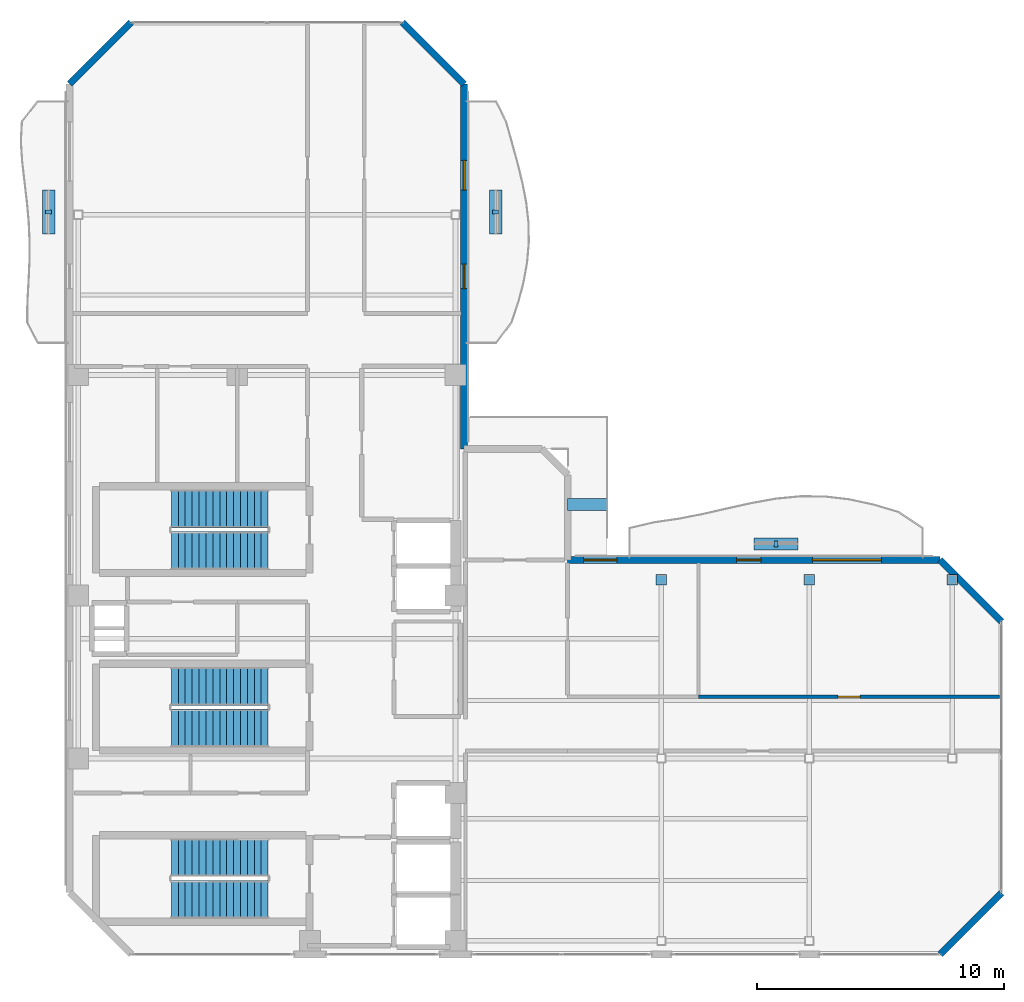
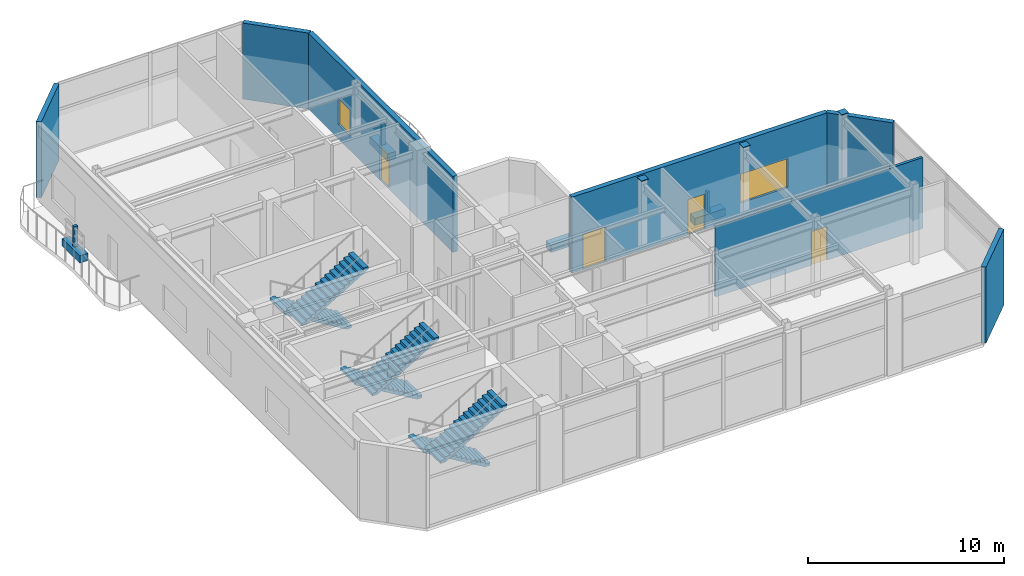
# One storey, part 12 of 16: 10 discrete accessories, 7 walls, 6 stair flights, 4 doors, 2 windows, 6 openings, 3 elements without a shape of their own.
"""IFC4 building model written with IfcOpenShell, lengths in metres."""

from ifc_helpers import new_model, si_unit, direction, frame, frame_2d, origin, origin_2d, place, context, subcontext, project, spatial, polyline, rectangle, outline, extrude, material, layer, layer_set, type_object, element, fill, aggregate, save


model = new_model("IFC4")

# Units and contexts
model_context = context("Model", 3, precision=1e-05, world=origin(), true_north=direction((0.0, 1.0)))
body_context = subcontext(model_context, "Body", "Model", "MODEL_VIEW")
ifc_project = project(units=[si_unit("LENGTHUNIT", "METRE"), si_unit("AREAUNIT", "SQUARE_METRE"), si_unit("VOLUMEUNIT", "CUBIC_METRE"), si_unit("PLANEANGLEUNIT", "RADIAN"), si_unit("MASSUNIT", "GRAM", prefix="KILO")], contexts=[model_context])

# Site, building, storey
site_placement = place(None, origin())
site = spatial("IfcSite", under=ifc_project, at=site_placement, CompositionType="ELEMENT")
building_placement = place(site_placement, origin())
building = spatial("IfcBuilding", under=site, at=building_placement, Name="Mawjaban Terraces University", CompositionType="ELEMENT")
storey_placement = place(building_placement, frame((0.0, 0.0, 311.699951171875)))
storey = spatial("IfcBuildingStorey", under=building, at=storey_placement, Name="L76", CompositionType="ELEMENT", Elevation=311.699951171875)

# Wall, opening, door
ifc_material_1 = material(Name="Fire-rated gypsum board on steel stud", Category="steel")
ifc_layer_1 = layer(ifc_material_1, 0.159912109375)
ifc_layer_set_1 = layer_set([ifc_layer_1], Name="Fire-rated gypsum board on steel stud")
wall_type_1 = type_object("IfcWallType", Name="CorridorPartition_160", PredefinedType="PARTITIONING", material=ifc_layer_set_1)
wall_1_placement = place(storey_placement, frame((59.719970703125, 10.449951171875, 0.0), z_axis=(0.0, 0.0, 1.0), x_axis=(-1.0, 0.0, 0.0)))
wall_1 = element("IfcWall", 1, at=wall_1_placement, inside=storey, type_object=wall_type_1, Name="L76 Observation Gallery Corridor Partition 21", PredefinedType="PARTITIONING", context=body_context, shape_type="SweptSolid", body=[
    extrude(rectangle(XDim=12.219970703125, YDim=0.159912109375, at=frame_2d((6.10986328125, 0.0))), origin(), (0.0, 0.0, 1.0), 4.422119140625),
])
opening_1_placement = place(wall_1_placement, frame((5.659912109375, 0.0, 0.0)))
opening_1 = element("IfcOpeningElement", 2, at=opening_1_placement, cuts=wall_1, Name="Opening ID-090", PredefinedType="OPENING", context=body_context, shape_type="SweptSolid", body=[
    extrude(rectangle(XDim=0.89990234375, YDim=2.10009765625, at=frame_2d((0.449951171875, 1.050048828125))), frame((0.0, 0.08984375, 0.0), z_axis=(0.0, -1.0, 0.0), x_axis=(1.0, 0.0, 0.0)), (0.0, 0.0, 1.0), 0.179931640625),
])
ifc_material_2 = material(Name="Powder-coated steel frame and solid acoustic timber leaf", Category="steel")
door_type_1 = type_object("IfcDoorType", Name="OfficeDoor_900x2100", OperationType="NOTDEFINED", PredefinedType="DOOR", material=ifc_material_2)
door_1_placement = place(opening_1_placement, origin())
door_1 = element("IfcDoor", 3, at=door_1_placement, inside=storey, type_object=door_type_1, Name="L76 Summit Visitor Sky Lounge Door", OperationType="SINGLE_SWING_RIGHT", OverallHeight=2.10009765625, OverallWidth=0.89990234375, PredefinedType="DOOR", context=body_context, shape_type="SweptSolid", body=[
    extrude(rectangle(XDim=0.89990234375, YDim=2.10009765625, at=frame_2d((0.449951171875, 1.050048828125))), frame((0.0, 0.02490234375, 0.0), z_axis=(0.0, -1.0, 0.0), x_axis=(1.0, 0.0, 0.0)), (0.0, 0.0, 1.0), 0.050048828125),
])
fill(opening_1, door_1)

# Walls
ifc_material_3 = material(Name="Insulated terracotta rainscreen on concrete backup C40/50", Category="masonry")
ifc_layer_2 = layer(ifc_material_3, 0.27490234375)
ifc_layer_set_2 = layer_set([ifc_layer_2], Name="Insulated terracotta rainscreen on concrete backup C40/50")
wall_type_2 = type_object("IfcWallType", Name="ExtTerracottaWall_275", PredefinedType="SOLIDWALL", material=ifc_layer_set_2)
for number, where, z_axis, x_axis, name in (
    (4, (57.300048828125, 0.0, 0.0), (0.0, 0.0, 1.0), (0.707106781187, 0.707106781187, 0.0), "L76 Exterior Terracotta Wall 2"),
    (5, (59.800048828125, 13.5, 0.0), (0.0, 0.0, 1.0), (-0.707106781187, 0.707106781187, 0.0), "L76 Exterior Terracotta Wall 4"),
):
    element("IfcWall", number, at=place(storey_placement, frame(where, z_axis=z_axis, x_axis=x_axis)), inside=storey, type_object=wall_type_2, Name=name, PredefinedType="SOLIDWALL", context=body_context, shape_type="SweptSolid", body=[
        extrude(rectangle(XDim=3.53564453125, YDim=0.27490234375, at=frame_2d((1.767822265625, 0.0))), origin(), (0.0, 0.0, 1.0), 4.739990234375),
    ])

# Wall, openings, doors, window
wall_2_placement = place(storey_placement, frame((57.300048828125, 16.0, 0.0), z_axis=(0.0, 0.0, 1.0), x_axis=(-1.0, 0.0, 0.0)))
wall_2 = element("IfcWall", 6, at=wall_2_placement, inside=storey, type_object=wall_type_2, Name="L76 Exterior Terracotta Wall 5", PredefinedType="SOLIDWALL", context=body_context, shape_type="SweptSolid", body=[
    extrude(rectangle(XDim=15.10009765625, YDim=0.27490234375, at=frame_2d((7.550048828125, 0.0))), origin(), (0.0, 0.0, 1.0), 4.739990234375),
])
opening_2_placement = place(wall_2_placement, frame((7.25, 0.0, 0.0)))
opening_2 = element("IfcOpeningElement", 7, at=opening_2_placement, cuts=wall_2, Name="Opening BD-100", PredefinedType="OPENING", context=body_context, shape_type="SweptSolid", body=[
    extrude(rectangle(XDim=1.0, YDim=2.199951171875, at=frame_2d((0.5, 1.10009765625))), frame((0.0, 0.1474609375, 0.0), z_axis=(0.0, -1.0, 0.0), x_axis=(1.0, 0.0, 0.0)), (0.0, 0.0, 1.0), 0.294921875),
])
opening_3_placement = place(wall_2_placement, frame((13.10009765625, 0.0, 0.0)))
opening_3 = element("IfcOpeningElement", 8, at=opening_3_placement, cuts=wall_2, Name="Opening TD-135", PredefinedType="OPENING", context=body_context, shape_type="SweptSolid", body=[
    extrude(rectangle(XDim=1.35009765625, YDim=2.199951171875, at=frame_2d((0.675048828125, 1.10009765625))), frame((0.0, 0.1474609375, 0.0), z_axis=(0.0, -1.0, 0.0), x_axis=(1.0, 0.0, 0.0)), (0.0, 0.0, 1.0), 0.294921875),
])
opening_4_placement = place(wall_2_placement, frame((2.375, 0.0, 0.89990234375)))
opening_4 = element("IfcOpeningElement", 9, at=opening_4_placement, cuts=wall_2, Name="Opening W-09", PredefinedType="OPENING", context=body_context, shape_type="SweptSolid", body=[
    extrude(rectangle(XDim=2.800048828125, YDim=1.800048828125, at=frame_2d((1.39990234375, 0.89990234375))), frame((0.0, 0.1474609375, 0.0), z_axis=(0.0, -1.0, 0.0), x_axis=(1.0, 0.0, 0.0)), (0.0, 0.0, 1.0), 0.294921875),
])
ifc_material_4 = material(Name="Thermally broken anodised aluminium and laminated safety glass", Category="aluminium")
door_type_2 = type_object("IfcDoorType", Name="BalconyGlazedDoor_1000x2200", OperationType="NOTDEFINED", PredefinedType="DOOR", material=ifc_material_4)
door_2_placement = place(opening_2_placement, origin())
door_2 = element("IfcDoor", 10, at=door_2_placement, inside=storey, type_object=door_type_2, Name="L76 Balcony Access Door inner_north", OperationType="SINGLE_SWING_LEFT", OverallHeight=2.199951171875, OverallWidth=1.0, PredefinedType="DOOR", context=body_context, shape_type="SweptSolid", body=[
    extrude(rectangle(XDim=1.0, YDim=2.199951171875, at=frame_2d((0.5, 1.10009765625))), frame((0.0, 0.02490234375, 0.0), z_axis=(0.0, -1.0, 0.0), x_axis=(1.0, 0.0, 0.0)), (0.0, 0.0, 1.0), 0.050048828125),
])
fill(opening_2, door_2)
door_type_3 = type_object("IfcDoorType", Name="TerraceGlazedDoor_1350x2200", OperationType="NOTDEFINED", PredefinedType="DOOR", material=ifc_material_4)
door_3_placement = place(opening_3_placement, origin())
door_3 = element("IfcDoor", 11, at=door_3_placement, inside=storey, type_object=door_type_3, Name="L76 Terrace Access Door TER-L76-LOOKOUT", OperationType="SINGLE_SWING_RIGHT", OverallHeight=2.199951171875, OverallWidth=1.35009765625, PredefinedType="DOOR", context=body_context, shape_type="SweptSolid", body=[
    extrude(rectangle(XDim=1.35009765625, YDim=2.199951171875, at=frame_2d((0.675048828125, 1.10009765625))), frame((0.0, 0.02490234375, 0.0), z_axis=(0.0, -1.0, 0.0), x_axis=(1.0, 0.0, 0.0)), (0.0, 0.0, 1.0), 0.050048828125),
])
fill(opening_3, door_3)
ifc_material_5 = material(Name="Low-E solar-control double glazing in thermally broken aluminium frame", Category="aluminium")
window_type_1 = type_object("IfcWindowType", Name="Win_2800x1800", PartitioningType="SINGLE_PANEL", PredefinedType="WINDOW", material=ifc_material_5)
window_1_placement = place(opening_4_placement, origin())
window_1 = element("IfcWindow", 12, at=window_1_placement, inside=storey, type_object=window_type_1, Name="L76 Facade Window 5.1", OverallHeight=1.800048828125, OverallWidth=2.800048828125, PartitioningType="SINGLE_PANEL", PredefinedType="WINDOW", context=body_context, shape_type="SweptSolid", body=[
    extrude(rectangle(XDim=2.800048828125, YDim=1.800048828125, at=frame_2d((1.39990234375, 0.89990234375))), frame((0.0, 0.030029296875, 0.0), z_axis=(0.0, -1.0, 0.0), x_axis=(1.0, 0.0, 0.0)), (0.0, 0.0, 1.0), 0.06005859375),
])
fill(opening_4, window_1)

# Wall, openings, door, window
wall_3_placement = place(storey_placement, frame((38.0, 20.5, 0.0), z_axis=(0.0, 0.0, 1.0), x_axis=(0.0, 1.0, 0.0)))
wall_3 = element("IfcWall", 13, at=wall_3_placement, inside=storey, type_object=wall_type_2, Name="L76 Exterior Terracotta Wall 9", PredefinedType="SOLIDWALL", context=body_context, shape_type="SweptSolid", body=[
    extrude(rectangle(XDim=14.800048828125, YDim=0.27490234375, at=frame_2d((7.39990234375, 0.0))), origin(), (0.0, 0.0, 1.0), 4.739990234375),
])
opening_5_placement = place(wall_3_placement, frame((6.5, 0.0, 0.0)))
opening_5 = element("IfcOpeningElement", 14, at=opening_5_placement, cuts=wall_3, Name="Opening BD-100", PredefinedType="OPENING", context=body_context, shape_type="SweptSolid", body=[
    extrude(rectangle(XDim=1.0, YDim=2.199951171875, at=frame_2d((0.5, 1.10009765625))), frame((0.0, 0.1474609375, 0.0), z_axis=(0.0, -1.0, 0.0), x_axis=(1.0, 0.0, 0.0)), (0.0, 0.0, 1.0), 0.294921875),
])
opening_6_placement = place(wall_3_placement, frame((10.5, 0.0, 0.89990234375)))
opening_6 = element("IfcOpeningElement", 15, at=opening_6_placement, cuts=wall_3, Name="Opening W-01", PredefinedType="OPENING", context=body_context, shape_type="SweptSolid", body=[
    extrude(rectangle(XDim=1.199951171875, YDim=1.60009765625, at=frame_2d((0.60009765625, 0.800048828125))), frame((0.0, 0.1474609375, 0.0), z_axis=(0.0, -1.0, 0.0), x_axis=(1.0, 0.0, 0.0)), (0.0, 0.0, 1.0), 0.294921875),
])
door_4_placement = place(opening_5_placement, origin())
door_4 = element("IfcDoor", 16, at=door_4_placement, inside=storey, type_object=door_type_2, Name="L76 Balcony Access Door inner_east", OperationType="SINGLE_SWING_LEFT", OverallHeight=2.199951171875, OverallWidth=1.0, PredefinedType="DOOR", context=body_context, shape_type="SweptSolid", body=[
    extrude(rectangle(XDim=1.0, YDim=2.199951171875, at=frame_2d((0.5, 1.10009765625))), frame((0.0, 0.02490234375, 0.0), z_axis=(0.0, -1.0, 0.0), x_axis=(1.0, 0.0, 0.0)), (0.0, 0.0, 1.0), 0.050048828125),
])
fill(opening_5, door_4)
window_type_2 = type_object("IfcWindowType", Name="Win_1200x1600", PartitioningType="SINGLE_PANEL", PredefinedType="WINDOW", material=ifc_material_5)
window_2_placement = place(opening_6_placement, origin())
window_2 = element("IfcWindow", 17, at=window_2_placement, inside=storey, type_object=window_type_2, Name="L76 Facade Window 9.2", OverallHeight=1.60009765625, OverallWidth=1.199951171875, PartitioningType="SINGLE_PANEL", PredefinedType="WINDOW", context=body_context, shape_type="SweptSolid", body=[
    extrude(rectangle(XDim=1.199951171875, YDim=1.60009765625, at=frame_2d((0.60009765625, 0.800048828125))), frame((0.0, 0.030029296875, 0.0), z_axis=(0.0, -1.0, 0.0), x_axis=(1.0, 0.0, 0.0)), (0.0, 0.0, 1.0), 0.06005859375),
])
fill(opening_6, window_2)

# Walls
for number, where, z_axis, x_axis, name in (
    (18, (38.0, 35.300048828125, 0.0), (0.0, 0.0, 1.0), (-0.707106781187, 0.707106781187, 0.0), "L76 Exterior Terracotta Wall 10"),
    (19, (24.5, 37.800048828125, 0.0), (0.0, 0.0, 1.0), (-0.707106781187, -0.707106781187, 0.0), "L76 Exterior Terracotta Wall 12"),
):
    element("IfcWall", number, at=place(storey_placement, frame(where, z_axis=z_axis, x_axis=x_axis)), inside=storey, type_object=wall_type_2, Name=name, PredefinedType="SOLIDWALL", context=body_context, shape_type="SweptSolid", body=[
        extrude(rectangle(XDim=3.53564453125, YDim=0.27490234375, at=frame_2d((1.767822265625, 0.0))), origin(), (0.0, 0.0, 1.0), 4.739990234375),
    ])

# Stair, stair flights
ifc_material_6 = material(Name="Concrete C40/50", Category="concrete")
stair_type = type_object("IfcStairType", Name="Stair_Core1550_H50", PredefinedType="HALF_TURN_STAIR", material=ifc_material_6)
stair_1_placement = place(storey_placement, origin())
stair_1 = element("IfcStair", 20, at=stair_1_placement, inside=storey, type_object=stair_type, Name="L76 Core Exit Stair 1", PredefinedType="HALF_TURN_STAIR")
stair_flight_type = type_object("IfcStairFlightType", Name="Flight_Core1550_H50", PredefinedType="STRAIGHT", material=ifc_material_6)
stair_flight_1_placement = place(storey_placement, frame((30.050048828125, 3.925048828125, 0.0), z_axis=(0.0, 0.0, 1.0), x_axis=(-1.0, 0.0, 0.0)))
stair_flight_1 = element("IfcStairFlight", 21, at=stair_flight_1_placement, type_object=stair_flight_type, Name="ST-1 flight 1", NumberOfRisers=15, NumberOfTreads=14, PredefinedType="STRAIGHT", RiserHeight=0.166666667, TreadLength=0.28, context=body_context, shape_type="SweptSolid", body=[
    extrude(outline(polyline([(0.0, 0.0), (0.0, 0.166748046875), (0.280029296875, 0.166748046875), (0.280029296875, 0.333251953125), (0.56005859375, 0.333251953125), (0.56005859375, 0.5), (0.840087890625, 0.5), (0.840087890625, 0.666748046875), (1.1201171875, 0.666748046875), (1.1201171875, 0.833251953125), (1.39990234375, 0.833251953125), (1.39990234375, 1.0), (1.679931640625, 1.0), (1.679931640625, 1.166748046875), (1.9599609375, 1.166748046875), (1.9599609375, 1.333251953125), (2.239990234375, 1.333251953125), (2.239990234375, 1.5), (2.52001953125, 1.5), (2.52001953125, 1.666748046875), (2.800048828125, 1.666748046875), (2.800048828125, 1.833251953125), (3.080078125, 1.833251953125), (3.080078125, 2.0), (3.360107421875, 2.0), (3.360107421875, 2.166748046875), (3.639892578125, 2.166748046875), (3.639892578125, 2.333251953125), (3.919921875, 2.333251953125), (3.919921875, 2.5), (3.919921875, 2.158935546875), (0.29296875, 0.0), (0.0, 0.0)])), frame((0.0, 0.77490234375, 0.0), z_axis=(0.0, -1.0, 0.0), x_axis=(1.0, 0.0, 0.0)), (0.0, 0.0, 1.0), 1.550048828125),
])
stair_flight_2_placement = place(storey_placement, frame((26.1298828125, 2.22509765625, 2.5), z_axis=(0.0, 0.0, 1.0), x_axis=(1.0, 0.0, 0.0)))
stair_flight_2 = element("IfcStairFlight", 22, at=stair_flight_2_placement, type_object=stair_flight_type, Name="ST-1 flight 2", NumberOfRisers=15, NumberOfTreads=14, PredefinedType="STRAIGHT", RiserHeight=0.166666667, TreadLength=0.28, context=body_context, shape_type="SweptSolid", body=[
    extrude(outline(polyline([(0.0, 0.0), (0.0, 0.166748046875), (0.280029296875, 0.166748046875), (0.280029296875, 0.333251953125), (0.56005859375, 0.333251953125), (0.56005859375, 0.5), (0.840087890625, 0.5), (0.840087890625, 0.666748046875), (1.1201171875, 0.666748046875), (1.1201171875, 0.833251953125), (1.39990234375, 0.833251953125), (1.39990234375, 1.0), (1.679931640625, 1.0), (1.679931640625, 1.166748046875), (1.9599609375, 1.166748046875), (1.9599609375, 1.333251953125), (2.239990234375, 1.333251953125), (2.239990234375, 1.5), (2.52001953125, 1.5), (2.52001953125, 1.666748046875), (2.800048828125, 1.666748046875), (2.800048828125, 1.833251953125), (3.080078125, 1.833251953125), (3.080078125, 2.0), (3.360107421875, 2.0), (3.360107421875, 2.166748046875), (3.639892578125, 2.166748046875), (3.639892578125, 2.333251953125), (3.919921875, 2.333251953125), (3.919921875, 2.5), (3.919921875, 2.158935546875), (0.29296875, 0.0), (0.0, 0.0)])), frame((0.0, 0.77490234375, 0.0), z_axis=(0.0, -1.0, 0.0), x_axis=(1.0, 0.0, 0.0)), (0.0, 0.0, 1.0), 1.550048828125),
])
aggregate(stair_1, [stair_flight_1, stair_flight_2])

stair_2_placement = place(storey_placement, origin())
stair_2 = element("IfcStair", 23, at=stair_2_placement, inside=storey, type_object=stair_type, Name="L76 Core Exit Stair 2", PredefinedType="HALF_TURN_STAIR")
stair_flight_3_placement = place(storey_placement, frame((30.050048828125, 18.074951171875, 0.0), z_axis=(0.0, 0.0, 1.0), x_axis=(-1.0, 0.0, 0.0)))
stair_flight_3 = element("IfcStairFlight", 24, at=stair_flight_3_placement, type_object=stair_flight_type, Name="ST-2 flight 1", NumberOfRisers=15, NumberOfTreads=14, PredefinedType="STRAIGHT", RiserHeight=0.166666667, TreadLength=0.28, context=body_context, shape_type="SweptSolid", body=[
    extrude(outline(polyline([(0.0, 0.0), (0.0, 0.166748046875), (0.280029296875, 0.166748046875), (0.280029296875, 0.333251953125), (0.56005859375, 0.333251953125), (0.56005859375, 0.5), (0.840087890625, 0.5), (0.840087890625, 0.666748046875), (1.1201171875, 0.666748046875), (1.1201171875, 0.833251953125), (1.39990234375, 0.833251953125), (1.39990234375, 1.0), (1.679931640625, 1.0), (1.679931640625, 1.166748046875), (1.9599609375, 1.166748046875), (1.9599609375, 1.333251953125), (2.239990234375, 1.333251953125), (2.239990234375, 1.5), (2.52001953125, 1.5), (2.52001953125, 1.666748046875), (2.800048828125, 1.666748046875), (2.800048828125, 1.833251953125), (3.080078125, 1.833251953125), (3.080078125, 2.0), (3.360107421875, 2.0), (3.360107421875, 2.166748046875), (3.639892578125, 2.166748046875), (3.639892578125, 2.333251953125), (3.919921875, 2.333251953125), (3.919921875, 2.5), (3.919921875, 2.158935546875), (0.29296875, 0.0), (0.0, 0.0)])), frame((0.0, 0.77490234375, 0.0), z_axis=(0.0, -1.0, 0.0), x_axis=(1.0, 0.0, 0.0)), (0.0, 0.0, 1.0), 1.550048828125),
])
stair_flight_4_placement = place(storey_placement, frame((26.1298828125, 16.375, 2.5), z_axis=(0.0, 0.0, 1.0), x_axis=(1.0, 0.0, 0.0)))
stair_flight_4 = element("IfcStairFlight", 25, at=stair_flight_4_placement, type_object=stair_flight_type, Name="ST-2 flight 2", NumberOfRisers=15, NumberOfTreads=14, PredefinedType="STRAIGHT", RiserHeight=0.166666667, TreadLength=0.28, context=body_context, shape_type="SweptSolid", body=[
    extrude(outline(polyline([(0.0, 0.0), (0.0, 0.166748046875), (0.280029296875, 0.166748046875), (0.280029296875, 0.333251953125), (0.56005859375, 0.333251953125), (0.56005859375, 0.5), (0.840087890625, 0.5), (0.840087890625, 0.666748046875), (1.1201171875, 0.666748046875), (1.1201171875, 0.833251953125), (1.39990234375, 0.833251953125), (1.39990234375, 1.0), (1.679931640625, 1.0), (1.679931640625, 1.166748046875), (1.9599609375, 1.166748046875), (1.9599609375, 1.333251953125), (2.239990234375, 1.333251953125), (2.239990234375, 1.5), (2.52001953125, 1.5), (2.52001953125, 1.666748046875), (2.800048828125, 1.666748046875), (2.800048828125, 1.833251953125), (3.080078125, 1.833251953125), (3.080078125, 2.0), (3.360107421875, 2.0), (3.360107421875, 2.166748046875), (3.639892578125, 2.166748046875), (3.639892578125, 2.333251953125), (3.919921875, 2.333251953125), (3.919921875, 2.5), (3.919921875, 2.158935546875), (0.29296875, 0.0), (0.0, 0.0)])), frame((0.0, 0.77490234375, 0.0), z_axis=(0.0, -1.0, 0.0), x_axis=(1.0, 0.0, 0.0)), (0.0, 0.0, 1.0), 1.550048828125),
])
aggregate(stair_2, [stair_flight_3, stair_flight_4])

stair_3_placement = place(storey_placement, origin())
stair_3 = element("IfcStair", 26, at=stair_3_placement, inside=storey, type_object=stair_type, Name="L76 Core Exit Stair 3", PredefinedType="HALF_TURN_STAIR")
stair_flight_5_placement = place(storey_placement, frame((30.050048828125, 10.875, 0.0), z_axis=(0.0, 0.0, 1.0), x_axis=(-1.0, 0.0, 0.0)))
stair_flight_5 = element("IfcStairFlight", 27, at=stair_flight_5_placement, type_object=stair_flight_type, Name="ST-3 flight 1", NumberOfRisers=15, NumberOfTreads=14, PredefinedType="STRAIGHT", RiserHeight=0.166666667, TreadLength=0.28, context=body_context, shape_type="SweptSolid", body=[
    extrude(outline(polyline([(0.0, 0.0), (0.0, 0.166748046875), (0.280029296875, 0.166748046875), (0.280029296875, 0.333251953125), (0.56005859375, 0.333251953125), (0.56005859375, 0.5), (0.840087890625, 0.5), (0.840087890625, 0.666748046875), (1.1201171875, 0.666748046875), (1.1201171875, 0.833251953125), (1.39990234375, 0.833251953125), (1.39990234375, 1.0), (1.679931640625, 1.0), (1.679931640625, 1.166748046875), (1.9599609375, 1.166748046875), (1.9599609375, 1.333251953125), (2.239990234375, 1.333251953125), (2.239990234375, 1.5), (2.52001953125, 1.5), (2.52001953125, 1.666748046875), (2.800048828125, 1.666748046875), (2.800048828125, 1.833251953125), (3.080078125, 1.833251953125), (3.080078125, 2.0), (3.360107421875, 2.0), (3.360107421875, 2.166748046875), (3.639892578125, 2.166748046875), (3.639892578125, 2.333251953125), (3.919921875, 2.333251953125), (3.919921875, 2.5), (3.919921875, 2.158935546875), (0.29296875, 0.0), (0.0, 0.0)])), frame((0.0, 0.77490234375, 0.0), z_axis=(0.0, -1.0, 0.0), x_axis=(1.0, 0.0, 0.0)), (0.0, 0.0, 1.0), 1.550048828125),
])
stair_flight_6_placement = place(storey_placement, frame((26.1298828125, 9.175048828125, 2.5), z_axis=(0.0, 0.0, 1.0), x_axis=(1.0, 0.0, 0.0)))
stair_flight_6 = element("IfcStairFlight", 28, at=stair_flight_6_placement, type_object=stair_flight_type, Name="ST-3 flight 2", NumberOfRisers=15, NumberOfTreads=14, PredefinedType="STRAIGHT", RiserHeight=0.166666667, TreadLength=0.28, context=body_context, shape_type="SweptSolid", body=[
    extrude(outline(polyline([(0.0, 0.0), (0.0, 0.166748046875), (0.280029296875, 0.166748046875), (0.280029296875, 0.333251953125), (0.56005859375, 0.333251953125), (0.56005859375, 0.5), (0.840087890625, 0.5), (0.840087890625, 0.666748046875), (1.1201171875, 0.666748046875), (1.1201171875, 0.833251953125), (1.39990234375, 0.833251953125), (1.39990234375, 1.0), (1.679931640625, 1.0), (1.679931640625, 1.166748046875), (1.9599609375, 1.166748046875), (1.9599609375, 1.333251953125), (2.239990234375, 1.333251953125), (2.239990234375, 1.5), (2.52001953125, 1.5), (2.52001953125, 1.666748046875), (2.800048828125, 1.666748046875), (2.800048828125, 1.833251953125), (3.080078125, 1.833251953125), (3.080078125, 2.0), (3.360107421875, 2.0), (3.360107421875, 2.166748046875), (3.639892578125, 2.166748046875), (3.639892578125, 2.333251953125), (3.919921875, 2.333251953125), (3.919921875, 2.5), (3.919921875, 2.158935546875), (0.29296875, 0.0), (0.0, 0.0)])), frame((0.0, 0.77490234375, 0.0), z_axis=(0.0, -1.0, 0.0), x_axis=(1.0, 0.0, 0.0)), (0.0, 0.0, 1.0), 1.550048828125),
])
aggregate(stair_3, [stair_flight_5, stair_flight_6])

# Discrete accessories
ifc_material_7 = material(Name="Stainless steel 316L", Category="steel")
discrete_accessory_type_1 = type_object("IfcDiscreteAccessoryType", Name="FacadeScreenBracket_Steel", PredefinedType="BRACKET", material=ifc_material_7)
for number, where, z_axis, x_axis, name in (
    (29, (21.152099609375, 30.10791015625, 0.419921875), (0.0, 0.0, 1.0), (0.0, 1.0, 0.0), "L76 Balcony Screen Support Bracket west"),
    (30, (50.64990234375, 16.64501953125, 0.419921875), (0.0, 0.0, 1.0), (1.0, 0.0, 0.0), "L76 Balcony Screen Support Bracket inner_north"),
    (31, (39.281005859375, 30.10791015625, 0.419921875), (0.0, 0.0, 1.0), (0.0, 1.0, 0.0), "L76 Balcony Screen Support Bracket inner_east"),
):
    element("IfcDiscreteAccessory", number, at=place(storey_placement, frame(where, z_axis=z_axis, x_axis=x_axis)), inside=storey, type_object=discrete_accessory_type_1, Name=name, PredefinedType="BRACKET", context=body_context, shape_type="SweptSolid", body=[
        extrude(rectangle(XDim=0.159912109375, YDim=0.239990234375, at=origin_2d()), origin(), (0.0, 0.0, 1.0), 1.300048828125),
    ])
ifc_material_8 = material(Name="Steel ASTM A572 Grade 50", Category="steel")
ifc_layer_3 = layer(ifc_material_8, 0.0400390625)
ifc_layer_set_3 = layer_set([ifc_layer_3], Name="Steel ASTM A572 Grade 50")
discrete_accessory_type_2 = type_object("IfcDiscreteAccessoryType", Name="HollowSectionEndCap_40", PredefinedType="BRACKET", material=ifc_layer_set_3)
for number, where, z_axis, x_axis, name in (
    (32, (46.0, 15.199951171875, 4.97998046875), (0.0, 0.0, 1.0), (1.0, 0.0, 0.0), "L76 Hollow Section End Cap Plate CAP-L76-460"),
    (33, (52.0, 15.199951171875, 4.97998046875), (0.0, 0.0, 1.0), (1.0, 0.0, 0.0), "L76 Hollow Section End Cap Plate CAP-L76-520"),
    (34, (57.800048828125, 15.199951171875, 4.97998046875), (0.0, 0.0, 1.0), (1.0, 0.0, 0.0), "L76 Hollow Section End Cap Plate CAP-L76-578"),
):
    element("IfcDiscreteAccessory", number, at=place(storey_placement, frame(where, z_axis=z_axis, x_axis=x_axis)), inside=storey, type_object=discrete_accessory_type_2, Name=name, PredefinedType="BRACKET", context=body_context, shape_type="SweptSolid", body=[
        extrude(rectangle(XDim=0.419921875, YDim=0.419921875, at=origin_2d()), origin(), (0.0, 0.0, 1.0), 0.0400390625),
    ])
ifc_material_9 = material(Name="Precast architectural terracotta planter with engineered planting soil", Category="masonry")
discrete_accessory_type_3 = type_object("IfcDiscreteAccessoryType", Name="IrrigatedPlanterTrough_450", PredefinedType="USERDEFINED", material=ifc_material_9)
for number, where, z_axis, x_axis, name in (
    (35, (21.152099609375, 30.10791015625, -0.0048828125), (0.0, 0.0, 1.0), (0.0, 1.0, 0.0), "L76 Balcony Irrigated Planter west"),
    (36, (50.64990234375, 16.64501953125, -0.0048828125), (0.0, 0.0, 1.0), (1.0, 0.0, 0.0), "L76 Balcony Irrigated Planter inner_north"),
    (37, (39.281005859375, 30.10791015625, -0.0048828125), (0.0, 0.0, 1.0), (0.0, 1.0, 0.0), "L76 Balcony Irrigated Planter inner_east"),
):
    element("IfcDiscreteAccessory", number, at=place(storey_placement, frame(where, z_axis=z_axis, x_axis=x_axis)), inside=storey, type_object=discrete_accessory_type_3, Name=name, ObjectType="PLANTER", PredefinedType="USERDEFINED", context=body_context, shape_type="SweptSolid", body=[
        extrude(rectangle(XDim=1.800048828125, YDim=0.5, at=origin_2d()), origin(), (0.0, 0.0, 1.0), 0.449951171875),
    ])
discrete_accessory_placement = place(storey_placement, frame((43.0, 18.25, -0.0048828125), z_axis=(0.0, 0.0, 1.0), x_axis=(1.0, 0.0, 0.0)))
element("IfcDiscreteAccessory", 38, at=discrete_accessory_placement, inside=storey, type_object=discrete_accessory_type_3, Name="L76 Terrace Planter TER-L76-LOOKOUT", ObjectType="PLANTER", PredefinedType="USERDEFINED", context=body_context, shape_type="SweptSolid", body=[
    extrude(rectangle(XDim=1.60009765625, YDim=0.5, at=origin_2d()), origin(), (0.0, 0.0, 1.0), 0.449951171875),
])

save(model, "model.ifc")
